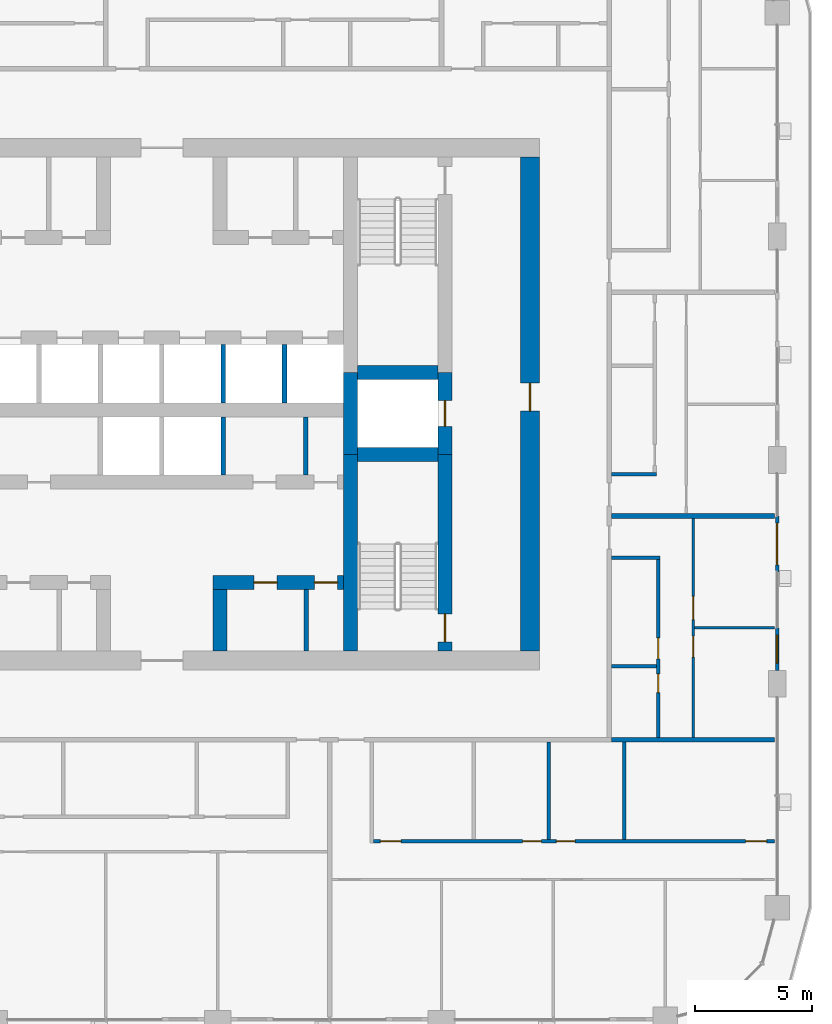
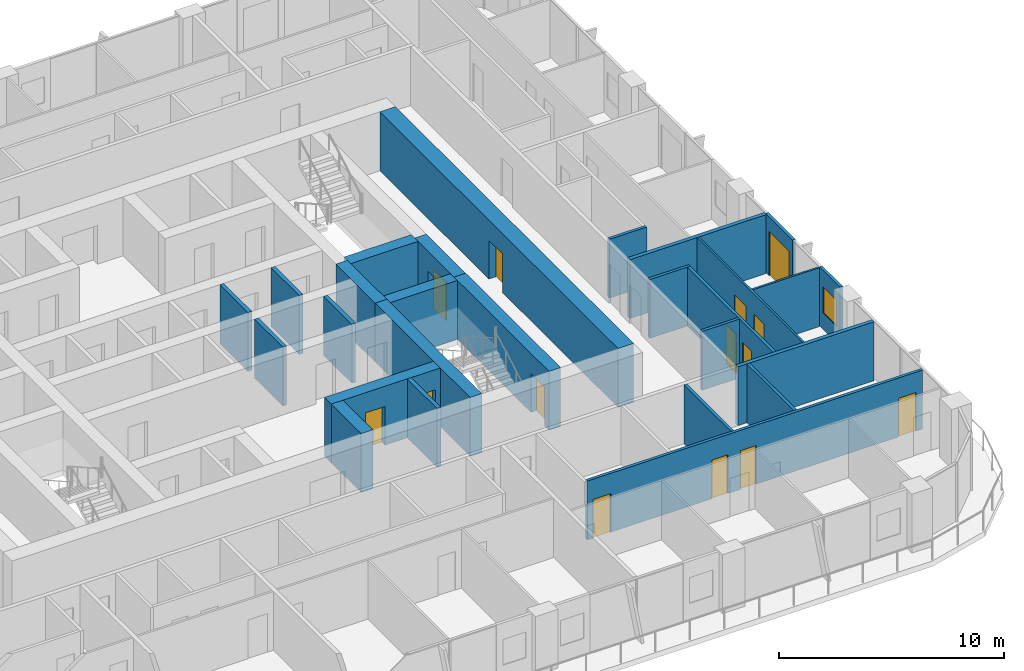
# One storey, part 12 of 22: 27 walls, 14 doors, 1 window, 15 openings.
"""IFC4 building model written with IfcOpenShell, lengths in metres."""

from ifc_helpers import new_model, si_unit, direction, frame, frame_2d, origin, place, context, subcontext, project, spatial, rectangle, extrude, material, layer, layer_set, type_object, element, fill, save


model = new_model("IFC4")

# Units and contexts
model_context = context("Model", 3, precision=1e-05, world=origin(), true_north=direction((0.0, 1.0)))
body_context = subcontext(model_context, "Body", "Model", "MODEL_VIEW")
ifc_project = project(units=[si_unit("LENGTHUNIT", "METRE"), si_unit("AREAUNIT", "SQUARE_METRE"), si_unit("VOLUMEUNIT", "CUBIC_METRE"), si_unit("PLANEANGLEUNIT", "RADIAN"), si_unit("MASSUNIT", "GRAM", prefix="KILO")], contexts=[model_context])

# Site, building, storey
site_placement = place(None, origin())
site = spatial("IfcSite", under=ifc_project, at=site_placement, CompositionType="ELEMENT")
building_placement = place(site_placement, origin())
building = spatial("IfcBuilding", under=site, at=building_placement, Name="Madar Terraces", CompositionType="ELEMENT")
storey_placement = place(building_placement, frame((0.0, 0.0, 159.5)))
storey = spatial("IfcBuildingStorey", under=building, at=storey_placement, Name="L41", CompositionType="ELEMENT", Elevation=159.5)

# Walls
ifc_material_1 = material(Name="Concrete C70/85", Category="concrete")
ifc_layer_1 = layer(ifc_material_1, 0.60009765625)
ifc_layer_set_1 = layer_set([ifc_layer_1], Name="Concrete C70/85 (CIW3 RC wall 600)")
wall_type_1 = type_object("IfcWallType", Name="CIW3 RC wall 600", PredefinedType="SHEAR", material=ifc_layer_set_1)
wall_1_placement = place(storey_placement, frame((39.300048828125, 15.800048828125, 0.0), z_axis=(0.0, 0.0, 1.0), x_axis=(0.0, 1.0, 0.0)))
element("IfcWall", 1, at=wall_1_placement, inside=storey, type_object=wall_type_1, Name="CORE SHAFT WALL", PredefinedType="SHEAR", context=body_context, shape_type="SweptSolid", body=[
    extrude(rectangle(XDim=8.449951171875, YDim=0.60009765625, at=frame_2d((4.22509765625, 0.0))), origin(), (0.0, 0.0, 1.0), 3.199951171875),
])
wall_2_placement = place(storey_placement, frame((39.300048828125, 24.25, 0.0), z_axis=(0.0, 0.0, 1.0), x_axis=(0.0, 1.0, 0.0)))
element("IfcWall", 2, at=wall_2_placement, inside=storey, type_object=wall_type_1, Name="CORE SHAFT WALL", PredefinedType="SHEAR", context=body_context, shape_type="SweptSolid", body=[
    extrude(rectangle(XDim=3.5, YDim=0.60009765625, at=frame_2d((1.75, 0.0))), origin(), (0.0, 0.0, 1.0), 3.199951171875),
])

# Wall, opening, door
wall_3_placement = place(storey_placement, frame((43.35009765625, 15.800048828125, 0.0), z_axis=(0.0, 0.0, 1.0), x_axis=(0.0, 1.0, 0.0)))
wall_3 = element("IfcWall", 3, at=wall_3_placement, inside=storey, type_object=wall_type_1, Name="CORE SHAFT WALL", PredefinedType="SHEAR", context=body_context, shape_type="SweptSolid", body=[
    extrude(rectangle(XDim=8.449951171875, YDim=0.60009765625, at=frame_2d((4.22509765625, 0.0))), origin(), (0.0, 0.0, 1.0), 3.199951171875),
])
opening_1_placement = place(wall_3_placement, frame((0.39990234375, 0.0, 0.0)))
opening_1 = element("IfcOpeningElement", 4, at=opening_1_placement, cuts=wall_3, Name="Opening SD1", PredefinedType="OPENING", context=body_context, shape_type="SweptSolid", body=[
    extrude(rectangle(XDim=1.199951171875, YDim=2.10009765625, at=frame_2d((0.60009765625, 1.050048828125))), frame((0.0, 0.31005859375, 0.0), z_axis=(0.0, -1.0, 0.0), x_axis=(1.0, 0.0, 0.0)), (0.0, 0.0, 1.0), 0.6201171875),
])
ifc_material_2 = material(Name="Steel door leaf", Category="steel")
door_type_1 = type_object("IfcDoorType", Name="Stair door 1200 x 2100", OperationType="NOTDEFINED", PredefinedType="DOOR", material=ifc_material_2)
door_1_placement = place(opening_1_placement, origin())
door_1 = element("IfcDoor", 5, at=door_1_placement, inside=storey, type_object=door_type_1, Name="STAIR DOOR", OperationType="SINGLE_SWING_RIGHT", OverallHeight=2.10009765625, OverallWidth=1.199951171875, PredefinedType="DOOR", context=body_context, shape_type="SweptSolid", body=[
    extrude(rectangle(XDim=1.199951171875, YDim=2.10009765625, at=frame_2d((0.60009765625, 1.050048828125))), frame((0.0, 0.02490234375, 0.0), z_axis=(0.0, -1.0, 0.0), x_axis=(1.0, 0.0, 0.0)), (0.0, 0.0, 1.0), 0.050048828125),
])
fill(opening_1, door_1)

wall_4_placement = place(storey_placement, frame((43.35009765625, 24.25, 0.0), z_axis=(0.0, 0.0, 1.0), x_axis=(0.0, 1.0, 0.0)))
wall_4 = element("IfcWall", 6, at=wall_4_placement, inside=storey, type_object=wall_type_1, Name="CORE SHAFT WALL", PredefinedType="SHEAR", context=body_context, shape_type="SweptSolid", body=[
    extrude(rectangle(XDim=3.5, YDim=0.60009765625, at=frame_2d((1.75, 0.0))), origin(), (0.0, 0.0, 1.0), 3.199951171875),
])
opening_2_placement = place(wall_4_placement, frame((1.199951171875, 0.0, 0.0)))
opening_2 = element("IfcOpeningElement", 7, at=opening_2_placement, cuts=wall_4, Name="Opening LD", PredefinedType="OPENING", context=body_context, shape_type="SweptSolid", body=[
    extrude(rectangle(XDim=1.10009765625, YDim=2.10009765625, at=frame_2d((0.550048828125, 1.050048828125))), frame((0.0, 0.31005859375, 0.0), z_axis=(0.0, -1.0, 0.0), x_axis=(1.0, 0.0, 0.0)), (0.0, 0.0, 1.0), 0.6201171875),
])
ifc_material_3 = material(Name="Stainless steel panel", Category="steel")
door_type_2 = type_object("IfcDoorType", Name="Lift landing door 1100 x 2100", OperationType="DOUBLE_DOOR_SLIDING", PredefinedType="DOOR", material=ifc_material_3)
door_2_placement = place(opening_2_placement, origin())
door_2 = element("IfcDoor", 8, at=door_2_placement, inside=storey, type_object=door_type_2, Name="LIFT LANDING DOOR", OperationType="DOUBLE_DOOR_SLIDING", OverallHeight=2.10009765625, OverallWidth=1.10009765625, PredefinedType="DOOR", context=body_context, shape_type="SweptSolid", body=[
    extrude(rectangle(XDim=1.10009765625, YDim=2.10009765625, at=frame_2d((0.550048828125, 1.050048828125))), frame((0.0, 0.02490234375, 0.0), z_axis=(0.0, -1.0, 0.0), x_axis=(1.0, 0.0, 0.0)), (0.0, 0.0, 1.0), 0.050048828125),
])
fill(opening_2, door_2)

# Walls
for number, where, z_axis, x_axis, name in (
    (9, (39.60009765625, 24.25, 0.0), (0.0, 0.0, 1.0), (1.0, 0.0, 0.0), "CORE SHAFT WALL"),
    (10, (39.60009765625, 27.75, 0.0), (0.0, 0.0, 1.0), (1.0, 0.0, 0.0), "CORE SHAFT WALL"),
):
    element("IfcWall", number, at=place(storey_placement, frame(where, z_axis=z_axis, x_axis=x_axis)), inside=storey, type_object=wall_type_1, Name=name, PredefinedType="SHEAR", context=body_context, shape_type="SweptSolid", body=[
        extrude(rectangle(XDim=3.449951171875, YDim=0.60009765625, at=frame_2d((1.72509765625, 0.0))), origin(), (0.0, 0.0, 1.0), 3.199951171875),
    ])

# Wall, openings, doors
wall_5_placement = place(storey_placement, frame((33.39990234375, 18.75, 0.0), z_axis=(0.0, 0.0, 1.0), x_axis=(1.0, 0.0, 0.0)))
wall_5 = element("IfcWall", 11, at=wall_5_placement, inside=storey, type_object=wall_type_1, Name="CORE SHAFT WALL", PredefinedType="SHEAR", context=body_context, shape_type="SweptSolid", body=[
    extrude(rectangle(XDim=5.60009765625, YDim=0.60009765625, at=frame_2d((2.800048828125, 0.0))), origin(), (0.0, 0.0, 1.0), 3.199951171875),
])
opening_3_placement = place(wall_5_placement, frame((1.75, 0.0, 0.0)))
opening_3 = element("IfcOpeningElement", 12, at=opening_3_placement, cuts=wall_5, Name="Opening KD2", PredefinedType="OPENING", context=body_context, shape_type="SweptSolid", body=[
    extrude(rectangle(XDim=1.0, YDim=2.10009765625, at=frame_2d((0.5, 1.050048828125))), frame((0.0, 0.31005859375, 0.0), z_axis=(0.0, -1.0, 0.0), x_axis=(1.0, 0.0, 0.0)), (0.0, 0.0, 1.0), 0.6201171875),
])
opening_4_placement = place(wall_5_placement, frame((4.35009765625, 0.0, 0.0)))
opening_4 = element("IfcOpeningElement", 13, at=opening_4_placement, cuts=wall_5, Name="Opening KD2", PredefinedType="OPENING", context=body_context, shape_type="SweptSolid", body=[
    extrude(rectangle(XDim=1.0, YDim=2.10009765625, at=frame_2d((0.5, 1.050048828125))), frame((0.0, 0.31005859375, 0.0), z_axis=(0.0, -1.0, 0.0), x_axis=(1.0, 0.0, 0.0)), (0.0, 0.0, 1.0), 0.6201171875),
])
ifc_material_4 = material(Name="Steel door leaf", Category="steel")
door_type_3 = type_object("IfcDoorType", Name="Service room door 1000 x 2100", OperationType="NOTDEFINED", PredefinedType="DOOR", material=ifc_material_4)
door_3_placement = place(opening_3_placement, origin())
door_3 = element("IfcDoor", 14, at=door_3_placement, inside=storey, type_object=door_type_3, Name="SERVICE ROOM DOOR", OperationType="SINGLE_SWING_LEFT", OverallHeight=2.10009765625, OverallWidth=1.0, PredefinedType="DOOR", context=body_context, shape_type="SweptSolid", body=[
    extrude(rectangle(XDim=1.0, YDim=2.10009765625, at=frame_2d((0.5, 1.050048828125))), frame((0.0, 0.02490234375, 0.0), z_axis=(0.0, -1.0, 0.0), x_axis=(1.0, 0.0, 0.0)), (0.0, 0.0, 1.0), 0.050048828125),
])
fill(opening_3, door_3)
door_4_placement = place(opening_4_placement, origin())
door_4 = element("IfcDoor", 15, at=door_4_placement, inside=storey, type_object=door_type_3, Name="SERVICE ROOM DOOR", OperationType="SINGLE_SWING_RIGHT", OverallHeight=2.10009765625, OverallWidth=1.0, PredefinedType="DOOR", context=body_context, shape_type="SweptSolid", body=[
    extrude(rectangle(XDim=1.0, YDim=2.10009765625, at=frame_2d((0.5, 1.050048828125))), frame((0.0, 0.02490234375, 0.0), z_axis=(0.0, -1.0, 0.0), x_axis=(1.0, 0.0, 0.0)), (0.0, 0.0, 1.0), 0.050048828125),
])
fill(opening_4, door_4)

# Wall
wall_6_placement = place(storey_placement, frame((33.699951171875, 15.800048828125, 0.0), z_axis=(0.0, 0.0, 1.0), x_axis=(0.0, 1.0, 0.0)))
element("IfcWall", 16, at=wall_6_placement, inside=storey, type_object=wall_type_1, Name="CORE SHAFT WALL", PredefinedType="SHEAR", context=body_context, shape_type="SweptSolid", body=[
    extrude(rectangle(XDim=2.64990234375, YDim=0.60009765625, at=frame_2d((1.324951171875, 0.0))), origin(), (0.0, 0.0, 1.0), 3.199951171875),
])

# Wall, opening, door
ifc_material_5 = material(Name="Concrete C70/85", Category="concrete")
ifc_layer_2 = layer(ifc_material_5, 0.800048828125)
ifc_layer_set_2 = layer_set([ifc_layer_2], Name="Concrete C70/85 (CRW3 RC wall 800)")
wall_type_2 = type_object("IfcWallType", Name="CRW3 RC wall 800", PredefinedType="SHEAR", material=ifc_layer_set_2)
wall_7_placement = place(storey_placement, frame((47.0, 15.800048828125, 0.0), z_axis=(0.0, 0.0, 1.0), x_axis=(0.0, 1.0, 0.0)))
wall_7 = element("IfcWall", 17, at=wall_7_placement, inside=storey, type_object=wall_type_2, Name="CORE OUTER WALL", PredefinedType="SHEAR", context=body_context, shape_type="SweptSolid", body=[
    extrude(rectangle(XDim=21.199951171875, YDim=0.800048828125, at=frame_2d((10.60009765625, 0.0))), origin(), (0.0, 0.0, 1.0), 3.199951171875),
])
opening_5_placement = place(wall_7_placement, frame((10.300048828125, 0.0, 0.0)))
opening_5 = element("IfcOpeningElement", 18, at=opening_5_placement, cuts=wall_7, Name="Opening SD1", PredefinedType="OPENING", context=body_context, shape_type="SweptSolid", body=[
    extrude(rectangle(XDim=1.199951171875, YDim=2.10009765625, at=frame_2d((0.60009765625, 1.050048828125))), frame((0.0, 0.409912109375, 0.0), z_axis=(0.0, -1.0, 0.0), x_axis=(1.0, 0.0, 0.0)), (0.0, 0.0, 1.0), 0.820068359375),
])
door_5_placement = place(opening_5_placement, origin())
door_5 = element("IfcDoor", 19, at=door_5_placement, inside=storey, type_object=door_type_1, Name="STAIR DOOR", OperationType="SINGLE_SWING_LEFT", OverallHeight=2.10009765625, OverallWidth=1.199951171875, PredefinedType="DOOR", context=body_context, shape_type="SweptSolid", body=[
    extrude(rectangle(XDim=1.199951171875, YDim=2.10009765625, at=frame_2d((0.60009765625, 1.050048828125))), frame((0.0, 0.02490234375, 0.0), z_axis=(0.0, -1.0, 0.0), x_axis=(1.0, 0.0, 0.0)), (0.0, 0.0, 1.0), 0.050048828125),
])
fill(opening_5, door_5)

# Walls
ifc_material_6 = material(Name="Masonry blockwork", Category="masonry")
ifc_layer_3 = layer(ifc_material_6, 0.199951171875)
ifc_layer_set_3 = layer_set([ifc_layer_3], Name="Core partition 200 blockwork")
wall_type_3 = type_object("IfcWallType", Name="Core partition 200 blockwork", PredefinedType="PARTITIONING", material=ifc_layer_set_3)
wall_8_placement = place(storey_placement, frame((37.378662109375, 23.35009765625, 0.0), z_axis=(0.0, 0.0, 1.0), x_axis=(0.0, 1.0, 0.0)))
element("IfcWall", 20, at=wall_8_placement, inside=storey, type_object=wall_type_3, Name="SERVICE ROOM PARTITION", PredefinedType="PARTITIONING", context=body_context, shape_type="SweptSolid", body=[
    extrude(rectangle(XDim=2.5, YDim=0.199951171875, at=frame_2d((1.25, 0.0))), origin(), (0.0, 0.0, 1.0), 3.199951171875),
])
wall_9_placement = place(storey_placement, frame((37.39990234375, 15.800048828125, 0.0), z_axis=(0.0, 0.0, 1.0), x_axis=(0.0, 1.0, 0.0)))
element("IfcWall", 21, at=wall_9_placement, inside=storey, type_object=wall_type_3, Name="SERVICE ROOM PARTITION", PredefinedType="PARTITIONING", context=body_context, shape_type="SweptSolid", body=[
    extrude(rectangle(XDim=2.64990234375, YDim=0.199951171875, at=frame_2d((1.324951171875, 0.0))), origin(), (0.0, 0.0, 1.0), 3.199951171875),
])
ifc_material_7 = material(Name="Concrete C40/50", Category="concrete")
ifc_layer_4 = layer(ifc_material_7, 0.199951171875)
ifc_layer_set_4 = layer_set([ifc_layer_4], Name="Core shaft dividing wall 200 C40/50")
wall_type_4 = type_object("IfcWallType", Name="Core shaft dividing wall 200 C40/50", PredefinedType="SOLIDWALL", material=ifc_layer_set_4)
for number, where, z_axis, x_axis, name in (
    (22, (33.833251953125, 23.35009765625, 0.0), (0.0, 0.0, 1.0), (0.0, 1.0, 0.0), "SHAFT DIVIDING WALL"),
    (23, (33.833251953125, 26.449951171875, 0.0), (0.0, 0.0, 1.0), (0.0, 1.0, 0.0), "SHAFT DIVIDING WALL"),
    (24, (36.466552734375, 26.449951171875, 0.0), (0.0, 0.0, 1.0), (0.0, 1.0, 0.0), "SHAFT DIVIDING WALL"),
):
    element("IfcWall", number, at=place(storey_placement, frame(where, z_axis=z_axis, x_axis=x_axis)), inside=storey, type_object=wall_type_4, Name=name, PredefinedType="SOLIDWALL", context=body_context, shape_type="SweptSolid", body=[
        extrude(rectangle(XDim=2.5, YDim=0.199951171875, at=frame_2d((1.25, 0.0))), origin(), (0.0, 0.0, 1.0), 3.199951171875),
    ])

# Wall, opening, window
ifc_material_8 = material(Name="Aluminium composite panel, black, over insulated backing", Category="aluminium")
ifc_layer_5 = layer(ifc_material_8, 0.14990234375)
ifc_layer_set_5 = layer_set([ifc_layer_5], Name="Facade bay panel 150")
wall_type_5 = type_object("IfcWallType", Name="Facade bay panel 150", PredefinedType="SOLIDWALL", material=ifc_layer_set_5)
wall_10_placement = place(storey_placement, frame((57.60009765625, 14.97509765625, 0.0), z_axis=(0.0, 0.0, 1.0), x_axis=(0.0, 1.0, 0.0)))
wall_10 = element("IfcWall", 25, at=wall_10_placement, inside=storey, type_object=wall_type_5, Name="Facade bay panel", PredefinedType="SOLIDWALL", context=body_context, shape_type="SweptSolid", body=[
    extrude(rectangle(XDim=1.824951171875, YDim=0.14990234375, at=frame_2d((0.91259765625, 0.0))), origin(), (0.0, 0.0, 1.0), 3.199951171875),
])
opening_6_placement = place(wall_10_placement, frame((0.3125, 0.0, 0.89990234375)))
opening_6 = element("IfcOpeningElement", 26, at=opening_6_placement, cuts=wall_10, Name="Opening W1", PredefinedType="OPENING", context=body_context, shape_type="SweptSolid", body=[
    extrude(rectangle(XDim=1.199951171875, YDim=1.39990234375, at=frame_2d((0.60009765625, 0.699951171875))), frame((0.0, 0.0849609375, 0.0), z_axis=(0.0, -1.0, 0.0), x_axis=(1.0, 0.0, 0.0)), (0.0, 0.0, 1.0), 0.169921875),
])
ifc_material_9 = material(Name="Glass, clear, with black aluminium frame", Category="aluminium")
window_type = type_object("IfcWindowType", Name="Vent window 1200 x 1400", PartitioningType="SINGLE_PANEL", PredefinedType="WINDOW", material=ifc_material_9)
window_placement = place(opening_6_placement, origin())
window = element("IfcWindow", 27, at=window_placement, inside=storey, type_object=window_type, Name="Operable vent window", OverallHeight=1.39990234375, OverallWidth=1.199951171875, PartitioningType="SINGLE_PANEL", PredefinedType="WINDOW", context=body_context, shape_type="SweptSolid", body=[
    extrude(rectangle(XDim=1.199951171875, YDim=1.39990234375, at=frame_2d((0.60009765625, 0.699951171875))), frame((0.0, 0.030029296875, 0.0), z_axis=(0.0, -1.0, 0.0), x_axis=(1.0, 0.0, 0.0)), (0.0, 0.0, 1.0), 0.06005859375),
])
fill(opening_6, window)

# Wall, opening, door
wall_11_placement = place(storey_placement, frame((57.60009765625, 19.199951171875, 0.0), z_axis=(0.0, 0.0, 1.0), x_axis=(0.0, 1.0, 0.0)))
wall_11 = element("IfcWall", 28, at=wall_11_placement, inside=storey, type_object=wall_type_5, Name="Facade bay panel", PredefinedType="SOLIDWALL", context=body_context, shape_type="SweptSolid", body=[
    extrude(rectangle(XDim=2.400146484375, YDim=0.14990234375, at=frame_2d((1.2001953125, 0.0))), origin(), (0.0, 0.0, 1.0), 3.199951171875),
])
opening_7_placement = place(wall_11_placement, frame((0.300048828125, 0.0, 0.0)))
opening_7 = element("IfcOpeningElement", 29, at=opening_7_placement, cuts=wall_11, Name="Opening ED1", PredefinedType="OPENING", context=body_context, shape_type="SweptSolid", body=[
    extrude(rectangle(XDim=1.800048828125, YDim=2.39990234375, at=frame_2d((0.89990234375, 1.199951171875))), frame((0.0, 0.0849609375, 0.0), z_axis=(0.0, -1.0, 0.0), x_axis=(1.0, 0.0, 0.0)), (0.0, 0.0, 1.0), 0.169921875),
])
ifc_material_10 = material(Name="Glass, clear, with black aluminium frame", Category="aluminium")
door_type_4 = type_object("IfcDoorType", Name="Balcony and terrace sliding door 1800 x 2400", OperationType="SLIDING_TO_LEFT", PredefinedType="DOOR", material=ifc_material_10)
door_6_placement = place(opening_7_placement, origin())
door_6 = element("IfcDoor", 30, at=door_6_placement, inside=storey, type_object=door_type_4, Name="Balcony door", OperationType="SLIDING_TO_LEFT", OverallHeight=2.39990234375, OverallWidth=1.800048828125, PredefinedType="DOOR", context=body_context, shape_type="SweptSolid", body=[
    extrude(rectangle(XDim=1.800048828125, YDim=2.39990234375, at=frame_2d((0.89990234375, 1.199951171875))), frame((0.0, 0.02490234375, 0.0), z_axis=(0.0, -1.0, 0.0), x_axis=(1.0, 0.0, 0.0)), (0.0, 0.0, 1.0), 0.050048828125),
])
fill(opening_7, door_6)

# Wall
ifc_material_11 = material(Name="Gypsum board on steel studs", Category="steel")
ifc_layer_6 = layer(ifc_material_11, 0.10009765625)
ifc_layer_set_6 = layer_set([ifc_layer_6], Name="Flat partition 100")
wall_type_6 = type_object("IfcWallType", Name="Flat partition 100", PredefinedType="PARTITIONING", material=ifc_layer_set_6)
wall_12_placement = place(storey_placement, frame((54.050048828125, 16.800048828125, 0.0), z_axis=(0.0, 0.0, 1.0), x_axis=(1.0, 0.0, 0.0)))
element("IfcWall", 31, at=wall_12_placement, inside=storey, type_object=wall_type_6, Name="Flat partition 100", PredefinedType="PARTITIONING", context=body_context, shape_type="SweptSolid", body=[
    extrude(rectangle(XDim=3.449951171875, YDim=0.10009765625, at=frame_2d((1.72509765625, 0.0))), origin(), (0.0, 0.0, 1.0), 3.199951171875),
])

# Wall, openings, doors
wall_13_placement = place(storey_placement, frame((54.0, 21.5, 0.0), z_axis=(0.0, 0.0, 1.0), x_axis=(0.0, -1.0, 0.0)))
wall_13 = element("IfcWall", 32, at=wall_13_placement, inside=storey, type_object=wall_type_6, Name="Flat partition 100", PredefinedType="PARTITIONING", context=body_context, shape_type="SweptSolid", body=[
    extrude(rectangle(XDim=9.39990234375, YDim=0.10009765625, at=frame_2d((4.699951171875, 0.0))), origin(), (0.0, 0.0, 1.0), 3.199951171875),
])
opening_8_placement = place(wall_13_placement, frame((3.35009765625, 0.0, 0.0)))
opening_8 = element("IfcOpeningElement", 33, at=opening_8_placement, cuts=wall_13, Name="Opening D3", PredefinedType="OPENING", context=body_context, shape_type="SweptSolid", body=[
    extrude(rectangle(XDim=1.0, YDim=2.10009765625, at=frame_2d((0.5, 1.050048828125))), frame((0.0, 0.06005859375, 0.0), z_axis=(0.0, -1.0, 0.0), x_axis=(1.0, 0.0, 0.0)), (0.0, 0.0, 1.0), 0.1201171875),
])
opening_9_placement = place(wall_13_placement, frame((5.050048828125, 0.0, 0.0)))
opening_9 = element("IfcOpeningElement", 34, at=opening_9_placement, cuts=wall_13, Name="Opening D2", PredefinedType="OPENING", context=body_context, shape_type="SweptSolid", body=[
    extrude(rectangle(XDim=0.89990234375, YDim=2.10009765625, at=frame_2d((0.449951171875, 1.050048828125))), frame((0.0, 0.06005859375, 0.0), z_axis=(0.0, -1.0, 0.0), x_axis=(1.0, 0.0, 0.0)), (0.0, 0.0, 1.0), 0.1201171875),
])
ifc_material_12 = material(Name="Timber door leaf", Category="wood")
door_type_5 = type_object("IfcDoorType", Name="Flat living room door 1000", OperationType="NOTDEFINED", PredefinedType="DOOR", material=ifc_material_12)
door_7_placement = place(opening_8_placement, origin())
door_7 = element("IfcDoor", 35, at=door_7_placement, inside=storey, type_object=door_type_5, Name="Flat living room door 1000", OperationType="SINGLE_SWING_RIGHT", OverallHeight=2.10009765625, OverallWidth=1.0, PredefinedType="DOOR", context=body_context, shape_type="SweptSolid", body=[
    extrude(rectangle(XDim=1.0, YDim=2.10009765625, at=frame_2d((0.5, 1.050048828125))), frame((0.0, 0.02490234375, 0.0), z_axis=(0.0, -1.0, 0.0), x_axis=(1.0, 0.0, 0.0)), (0.0, 0.0, 1.0), 0.050048828125),
])
fill(opening_8, door_7)
ifc_material_13 = material(Name="Timber door leaf", Category="wood")
door_type_6 = type_object("IfcDoorType", Name="Flat room door 900", OperationType="NOTDEFINED", PredefinedType="DOOR", material=ifc_material_13)
door_8_placement = place(opening_9_placement, origin())
door_8 = element("IfcDoor", 36, at=door_8_placement, inside=storey, type_object=door_type_6, Name="Flat room door 900", OperationType="SINGLE_SWING_LEFT", OverallHeight=2.10009765625, OverallWidth=0.89990234375, PredefinedType="DOOR", context=body_context, shape_type="SweptSolid", body=[
    extrude(rectangle(XDim=0.89990234375, YDim=2.10009765625, at=frame_2d((0.449951171875, 1.050048828125))), frame((0.0, 0.02490234375, 0.0), z_axis=(0.0, -1.0, 0.0), x_axis=(1.0, 0.0, 0.0)), (0.0, 0.0, 1.0), 0.050048828125),
])
fill(opening_9, door_8)

# Walls
ifc_material_14 = material(Name="Lightweight blockwork", Category="masonry")
ifc_layer_7 = layer(ifc_material_14, 0.199951171875)
ifc_layer_set_7 = layer_set([ifc_layer_7], Name="Flat party and entrance wall 200")
wall_type_7 = type_object("IfcWallType", Name="Flat party and entrance wall 200", PredefinedType="PARTITIONING", material=ifc_layer_set_7)
for number, where, z_axis, x_axis, name in (
    (37, (50.5, 12.0, 0.0), (0.0, 0.0, 1.0), (1.0, 0.0, 0.0), "Flat party and entrance wall 200"),
    (38, (50.5, 21.60009765625, 0.0), (0.0, 0.0, 1.0), (1.0, 0.0, 0.0), "Flat party and entrance wall 200"),
):
    element("IfcWall", number, at=place(storey_placement, frame(where, z_axis=z_axis, x_axis=x_axis)), inside=storey, type_object=wall_type_7, Name=name, PredefinedType="PARTITIONING", context=body_context, shape_type="SweptSolid", body=[
        extrude(rectangle(XDim=7.0, YDim=0.199951171875, at=frame_2d((3.5, 0.0))), origin(), (0.0, 0.0, 1.0), 3.199951171875),
    ])
ifc_material_15 = material(Name="Lightweight blockwork", Category="masonry")
ifc_layer_8 = layer(ifc_material_15, 0.14990234375)
ifc_layer_set_8 = layer_set([ifc_layer_8], Name="Flat wet-room partition 150")
wall_type_8 = type_object("IfcWallType", Name="Flat wet-room partition 150", PredefinedType="PARTITIONING", material=ifc_layer_set_8)
for number, where, z_axis, x_axis, name in (
    (39, (47.810791015625, 11.89990234375, 0.0), (0.0, 0.0, 1.0), (0.0, -1.0, 0.0), "Flat wet-room partition 150"),
    (40, (51.04052734375, 11.89990234375, 0.0), (0.0, 0.0, 1.0), (0.0, -1.0, 0.0), "Flat wet-room partition 150"),
):
    element("IfcWall", number, at=place(storey_placement, frame(where, z_axis=z_axis, x_axis=x_axis)), inside=storey, type_object=wall_type_8, Name=name, PredefinedType="PARTITIONING", context=body_context, shape_type="SweptSolid", body=[
        extrude(rectangle(XDim=4.1748046875, YDim=0.14990234375, at=frame_2d((2.08740234375, 0.0))), origin(), (0.0, 0.0, 1.0), 3.199951171875),
    ])

# Wall, openings, doors
wall_14_placement = place(storey_placement, frame((40.27490234375, 7.64990234375, 0.0), z_axis=(0.0, 0.0, 1.0), x_axis=(1.0, 0.0, 0.0)))
wall_14 = element("IfcWall", 41, at=wall_14_placement, inside=storey, type_object=wall_type_8, Name="Flat wet-room partition 150", PredefinedType="PARTITIONING", context=body_context, shape_type="SweptSolid", body=[
    extrude(rectangle(XDim=17.22509765625, YDim=0.14990234375, at=frame_2d((8.612548828125, 0.0))), origin(), (0.0, 0.0, 1.0), 3.199951171875),
])
opening_10_placement = place(wall_14_placement, frame((0.300048828125, 0.0, 0.0)))
opening_10 = element("IfcOpeningElement", 42, at=opening_10_placement, cuts=wall_14, Name="Opening D5", PredefinedType="OPENING", context=body_context, shape_type="SweptSolid", body=[
    extrude(rectangle(XDim=0.89990234375, YDim=2.10009765625, at=frame_2d((0.449951171875, 1.050048828125))), frame((0.0, 0.0849609375, 0.0), z_axis=(0.0, -1.0, 0.0), x_axis=(1.0, 0.0, 0.0)), (0.0, 0.0, 1.0), 0.169921875),
])
opening_11_placement = place(wall_14_placement, frame((6.410888671875, 0.0, 0.0)))
opening_11 = element("IfcOpeningElement", 43, at=opening_11_placement, cuts=wall_14, Name="Opening D7", PredefinedType="OPENING", context=body_context, shape_type="SweptSolid", body=[
    extrude(rectangle(XDim=0.800048828125, YDim=2.10009765625, at=frame_2d((0.39990234375, 1.050048828125))), frame((0.0, 0.0849609375, 0.0), z_axis=(0.0, -1.0, 0.0), x_axis=(1.0, 0.0, 0.0)), (0.0, 0.0, 1.0), 0.169921875),
])
opening_12_placement = place(wall_14_placement, frame((7.86083984375, 0.0, 0.0)))
opening_12 = element("IfcOpeningElement", 44, at=opening_12_placement, cuts=wall_14, Name="Opening D4", PredefinedType="OPENING", context=body_context, shape_type="SweptSolid", body=[
    extrude(rectangle(XDim=0.800048828125, YDim=2.10009765625, at=frame_2d((0.39990234375, 1.050048828125))), frame((0.0, 0.0849609375, 0.0), z_axis=(0.0, -1.0, 0.0), x_axis=(1.0, 0.0, 0.0)), (0.0, 0.0, 1.0), 0.169921875),
])
opening_13_placement = place(wall_14_placement, frame((15.97509765625, 0.0, 0.0)))
opening_13 = element("IfcOpeningElement", 45, at=opening_13_placement, cuts=wall_14, Name="Opening D2", PredefinedType="OPENING", context=body_context, shape_type="SweptSolid", body=[
    extrude(rectangle(XDim=0.89990234375, YDim=2.10009765625, at=frame_2d((0.449951171875, 1.050048828125))), frame((0.0, 0.0849609375, 0.0), z_axis=(0.0, -1.0, 0.0), x_axis=(1.0, 0.0, 0.0)), (0.0, 0.0, 1.0), 0.169921875),
])
ifc_material_16 = material(Name="Timber door leaf", Category="wood")
door_type_7 = type_object("IfcDoorType", Name="Flat accessible bathroom door 900", OperationType="NOTDEFINED", PredefinedType="DOOR", material=ifc_material_16)
door_9_placement = place(opening_10_placement, origin())
door_9 = element("IfcDoor", 46, at=door_9_placement, inside=storey, type_object=door_type_7, Name="Flat accessible bathroom door 900", OperationType="SINGLE_SWING_LEFT", OverallHeight=2.10009765625, OverallWidth=0.89990234375, PredefinedType="DOOR", context=body_context, shape_type="SweptSolid", body=[
    extrude(rectangle(XDim=0.89990234375, YDim=2.10009765625, at=frame_2d((0.449951171875, 1.050048828125))), frame((0.0, 0.02490234375, 0.0), z_axis=(0.0, -1.0, 0.0), x_axis=(1.0, 0.0, 0.0)), (0.0, 0.0, 1.0), 0.050048828125),
])
fill(opening_10, door_9)
ifc_material_17 = material(Name="Timber door leaf", Category="wood")
door_type_8 = type_object("IfcDoorType", Name="Flat bathroom door 800", OperationType="NOTDEFINED", PredefinedType="DOOR", material=ifc_material_17)
door_10_placement = place(opening_12_placement, origin())
door_10 = element("IfcDoor", 47, at=door_10_placement, inside=storey, type_object=door_type_8, Name="Flat bathroom door 800", OperationType="SINGLE_SWING_LEFT", OverallHeight=2.10009765625, OverallWidth=0.800048828125, PredefinedType="DOOR", context=body_context, shape_type="SweptSolid", body=[
    extrude(rectangle(XDim=0.800048828125, YDim=2.10009765625, at=frame_2d((0.39990234375, 1.050048828125))), frame((0.0, 0.02490234375, 0.0), z_axis=(0.0, -1.0, 0.0), x_axis=(1.0, 0.0, 0.0)), (0.0, 0.0, 1.0), 0.050048828125),
])
fill(opening_12, door_10)
door_11_placement = place(opening_13_placement, origin())
door_11 = element("IfcDoor", 48, at=door_11_placement, inside=storey, type_object=door_type_6, Name="Flat room door 900", OperationType="SINGLE_SWING_RIGHT", OverallHeight=2.10009765625, OverallWidth=0.89990234375, PredefinedType="DOOR", context=body_context, shape_type="SweptSolid", body=[
    extrude(rectangle(XDim=0.89990234375, YDim=2.10009765625, at=frame_2d((0.449951171875, 1.050048828125))), frame((0.0, 0.02490234375, 0.0), z_axis=(0.0, -1.0, 0.0), x_axis=(1.0, 0.0, 0.0)), (0.0, 0.0, 1.0), 0.050048828125),
])
fill(opening_13, door_11)
ifc_material_18 = material(Name="Timber door leaf", Category="wood")
door_type_9 = type_object("IfcDoorType", Name="Flat utility door 800", OperationType="NOTDEFINED", PredefinedType="DOOR", material=ifc_material_18)
door_12_placement = place(opening_11_placement, origin())
door_12 = element("IfcDoor", 49, at=door_12_placement, inside=storey, type_object=door_type_9, Name="Flat utility door 800", OperationType="SINGLE_SWING_RIGHT", OverallHeight=2.10009765625, OverallWidth=0.800048828125, PredefinedType="DOOR", context=body_context, shape_type="SweptSolid", body=[
    extrude(rectangle(XDim=0.800048828125, YDim=2.10009765625, at=frame_2d((0.39990234375, 1.050048828125))), frame((0.0, 0.02490234375, 0.0), z_axis=(0.0, -1.0, 0.0), x_axis=(1.0, 0.0, 0.0)), (0.0, 0.0, 1.0), 0.050048828125),
])
fill(opening_11, door_12)

# Walls
wall_15_placement = place(storey_placement, frame((50.5, 15.14990234375, 0.0), z_axis=(0.0, 0.0, 1.0), x_axis=(1.0, 0.0, 0.0)))
element("IfcWall", 50, at=wall_15_placement, inside=storey, type_object=wall_type_8, Name="Flat wet-room partition 150", PredefinedType="PARTITIONING", context=body_context, shape_type="SweptSolid", body=[
    extrude(rectangle(XDim=1.925048828125, YDim=0.14990234375, at=frame_2d((0.96240234375, 0.0))), origin(), (0.0, 0.0, 1.0), 3.199951171875),
])
wall_16_placement = place(storey_placement, frame((50.5, 19.800048828125, 0.0), z_axis=(0.0, 0.0, 1.0), x_axis=(1.0, 0.0, 0.0)))
element("IfcWall", 51, at=wall_16_placement, inside=storey, type_object=wall_type_8, Name="Flat wet-room partition 150", PredefinedType="PARTITIONING", context=body_context, shape_type="SweptSolid", body=[
    extrude(rectangle(XDim=2.074951171875, YDim=0.14990234375, at=frame_2d((1.03759765625, 0.0))), origin(), (0.0, 0.0, 1.0), 3.199951171875),
])

# Wall, openings, doors
wall_17_placement = place(storey_placement, frame((52.5, 12.10009765625, 0.0), z_axis=(0.0, 0.0, 1.0), x_axis=(0.0, 1.0, 0.0)))
wall_17 = element("IfcWall", 52, at=wall_17_placement, inside=storey, type_object=wall_type_8, Name="Flat wet-room partition 150", PredefinedType="PARTITIONING", context=body_context, shape_type="SweptSolid", body=[
    extrude(rectangle(XDim=7.625, YDim=0.14990234375, at=frame_2d((3.8125, 0.0))), origin(), (0.0, 0.0, 1.0), 3.199951171875),
])
opening_14_placement = place(wall_17_placement, frame((3.375, 0.0, 0.0)))
opening_14 = element("IfcOpeningElement", 53, at=opening_14_placement, cuts=wall_17, Name="Opening D2", PredefinedType="OPENING", context=body_context, shape_type="SweptSolid", body=[
    extrude(rectangle(XDim=0.89990234375, YDim=2.10009765625, at=frame_2d((0.449951171875, 1.050048828125))), frame((0.0, 0.0849609375, 0.0), z_axis=(0.0, -1.0, 0.0), x_axis=(1.0, 0.0, 0.0)), (0.0, 0.0, 1.0), 0.169921875),
])
opening_15_placement = place(wall_17_placement, frame((1.925048828125, 0.0, 0.0)))
opening_15 = element("IfcOpeningElement", 54, at=opening_15_placement, cuts=wall_17, Name="Opening D4", PredefinedType="OPENING", context=body_context, shape_type="SweptSolid", body=[
    extrude(rectangle(XDim=0.800048828125, YDim=2.10009765625, at=frame_2d((0.39990234375, 1.050048828125))), frame((0.0, 0.0849609375, 0.0), z_axis=(0.0, -1.0, 0.0), x_axis=(1.0, 0.0, 0.0)), (0.0, 0.0, 1.0), 0.169921875),
])
door_13_placement = place(opening_15_placement, origin())
door_13 = element("IfcDoor", 55, at=door_13_placement, inside=storey, type_object=door_type_8, Name="Flat bathroom door 800", OperationType="SINGLE_SWING_RIGHT", OverallHeight=2.10009765625, OverallWidth=0.800048828125, PredefinedType="DOOR", context=body_context, shape_type="SweptSolid", body=[
    extrude(rectangle(XDim=0.800048828125, YDim=2.10009765625, at=frame_2d((0.39990234375, 1.050048828125))), frame((0.0, 0.02490234375, 0.0), z_axis=(0.0, -1.0, 0.0), x_axis=(1.0, 0.0, 0.0)), (0.0, 0.0, 1.0), 0.050048828125),
])
fill(opening_15, door_13)
door_14_placement = place(opening_14_placement, origin())
door_14 = element("IfcDoor", 56, at=door_14_placement, inside=storey, type_object=door_type_6, Name="Flat room door 900", OperationType="SINGLE_SWING_LEFT", OverallHeight=2.10009765625, OverallWidth=0.89990234375, PredefinedType="DOOR", context=body_context, shape_type="SweptSolid", body=[
    extrude(rectangle(XDim=0.89990234375, YDim=2.10009765625, at=frame_2d((0.449951171875, 1.050048828125))), frame((0.0, 0.02490234375, 0.0), z_axis=(0.0, -1.0, 0.0), x_axis=(1.0, 0.0, 0.0)), (0.0, 0.0, 1.0), 0.050048828125),
])
fill(opening_14, door_14)

# Wall
wall_18_placement = place(storey_placement, frame((50.5, 23.39990234375, 0.0), z_axis=(0.0, 0.0, 1.0), x_axis=(1.0, 0.0, 0.0)))
element("IfcWall", 57, at=wall_18_placement, inside=storey, type_object=wall_type_8, Name="Flat wet-room partition 150", PredefinedType="PARTITIONING", context=body_context, shape_type="SweptSolid", body=[
    extrude(rectangle(XDim=1.925048828125, YDim=0.14990234375, at=frame_2d((0.96240234375, 0.0))), origin(), (0.0, 0.0, 1.0), 3.199951171875),
])

save(model, "model.ifc")
